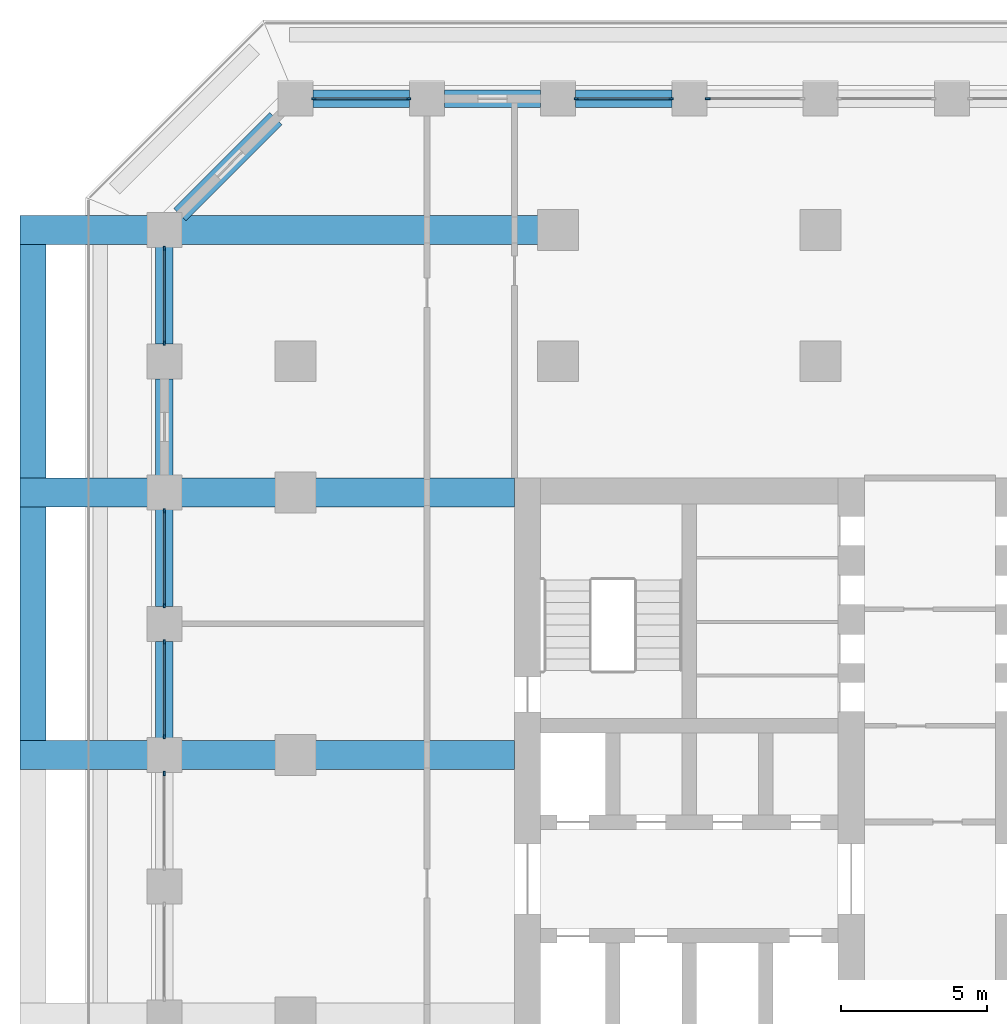
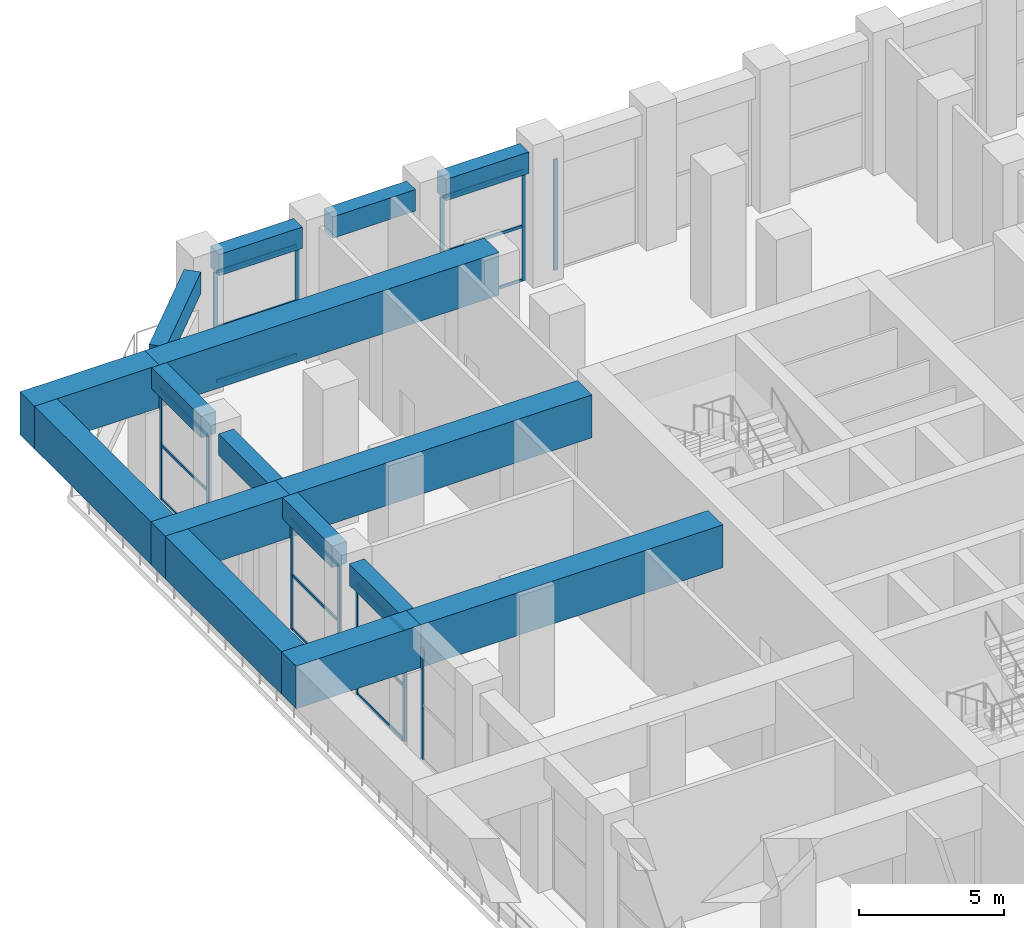
# One storey, part 6 of 24: 27 members, 16 beams, 7 elements without a shape of their own.
"""IFC4 building model written with IfcOpenShell, lengths in metres."""

from ifc_helpers import new_model, si_unit, direction, frame, origin, origin_2d, place, context, subcontext, project, spatial, rectangle, extrude, material, material_profile, profile_set, type_object, element, aggregate, save


model = new_model("IFC4")

# Units and contexts
model_context = context("Model", 3, precision=1e-05, world=origin(), true_north=direction((0.0, 1.0)))
body_context = subcontext(model_context, "Body", "Model", "MODEL_VIEW")
ifc_project = project(units=[si_unit("LENGTHUNIT", "METRE"), si_unit("AREAUNIT", "SQUARE_METRE"), si_unit("VOLUMEUNIT", "CUBIC_METRE"), si_unit("PLANEANGLEUNIT", "RADIAN"), si_unit("MASSUNIT", "GRAM", prefix="KILO")], contexts=[model_context])

# Site, building, storey
site_placement = place(None, origin())
site = spatial("IfcSite", under=ifc_project, at=site_placement, CompositionType="ELEMENT")
building_placement = place(site_placement, origin())
building = spatial("IfcBuilding", under=site, at=building_placement, Name="Corbel Stack Research Tower", CompositionType="ELEMENT")
storey_placement = place(building_placement, frame((0.0, 0.0, 110.699951171875)))
storey = spatial("IfcBuildingStorey", under=building, at=storey_placement, Name="L25", CompositionType="ELEMENT", Elevation=110.699951171875)

# Curtain wall, member
ifc_material_1 = material(Name="Aluminium frame, clear glass", Category="aluminium")
curtain_wall_type = type_object("IfcCurtainWallType", Name="Amenity floor curtain wall CW2", PredefinedType="NOTDEFINED", material=ifc_material_1)
curtain_wall_1_placement = place(storey_placement, origin())
curtain_wall_1 = element("IfcCurtainWall", 1, at=curtain_wall_1_placement, inside=storey, type_object=curtain_wall_type, Name="Curtain wall CW2 L25 N07", PredefinedType="NOTDEFINED")
ifc_material_2 = material(Name="Aluminium mullion", Category="aluminium")
ifc_material_profile_1 = material_profile(ifc_material_2, rectangle(XDim=0.06005859375, YDim=0.159912109375, at=origin_2d()), Name="Mullion 60 x 160")
ifc_profile_set_1 = profile_set([ifc_material_profile_1], Name="Aluminium mullion")
member_type_1 = type_object("IfcMemberType", Name="Curtain wall mullion 60 x 160", PredefinedType="MULLION", material=ifc_profile_set_1)
member_1_placement = place(storey_placement, frame((-3.8701171875, 31.5, 0.0), z_axis=(0.0, 0.0, 1.0), x_axis=(0.0, -1.0, 0.0)))
member_1 = element("IfcMember", 2, at=member_1_placement, type_object=member_type_1, Name="CW2 L25 N07 mullion 2", PredefinedType="MULLION", context=body_context, shape_type="SweptSolid", body=[
    extrude(rectangle(XDim=0.06005859375, YDim=0.159912109375, at=origin_2d()), origin(), (0.0, 0.0, 1.0), 4.650146484375),
])
aggregate(curtain_wall_1, [member_1])

# Curtain wall, members
curtain_wall_2_placement = place(storey_placement, origin())
curtain_wall_2 = element("IfcCurtainWall", 3, at=curtain_wall_2_placement, inside=storey, type_object=curtain_wall_type, Name="Curtain wall CW2 L25 N08", PredefinedType="NOTDEFINED")
member_2_placement = place(storey_placement, frame((-5.1298828125, 31.5, 0.0), z_axis=(0.0, 0.0, 1.0), x_axis=(0.0, -1.0, 0.0)))
member_2 = element("IfcMember", 4, at=member_2_placement, type_object=member_type_1, Name="CW2 L25 N08 mullion 1", PredefinedType="MULLION", context=body_context, shape_type="SweptSolid", body=[
    extrude(rectangle(XDim=0.06005859375, YDim=0.159912109375, at=origin_2d()), origin(), (0.0, 0.0, 1.0), 4.650146484375),
])
member_3_placement = place(storey_placement, frame((-8.3701171875, 31.5, 0.0), z_axis=(0.0, 0.0, 1.0), x_axis=(0.0, -1.0, 0.0)))
member_3 = element("IfcMember", 5, at=member_3_placement, type_object=member_type_1, Name="CW2 L25 N08 mullion 2", PredefinedType="MULLION", context=body_context, shape_type="SweptSolid", body=[
    extrude(rectangle(XDim=0.06005859375, YDim=0.159912109375, at=origin_2d()), origin(), (0.0, 0.0, 1.0), 4.650146484375),
])

curtain_wall_3_placement = place(storey_placement, origin())
curtain_wall_3 = element("IfcCurtainWall", 6, at=curtain_wall_3_placement, inside=storey, type_object=curtain_wall_type, Name="Curtain wall CW2 L25 N10", PredefinedType="NOTDEFINED")
member_4_placement = place(storey_placement, frame((-14.1298828125, 31.5, 0.0), z_axis=(0.0, 0.0, 1.0), x_axis=(0.0, -1.0, 0.0)))
member_4 = element("IfcMember", 7, at=member_4_placement, type_object=member_type_1, Name="CW2 L25 N10 mullion 1", PredefinedType="MULLION", context=body_context, shape_type="SweptSolid", body=[
    extrude(rectangle(XDim=0.06005859375, YDim=0.159912109375, at=origin_2d()), origin(), (0.0, 0.0, 1.0), 4.650146484375),
])
member_5_placement = place(storey_placement, frame((-17.3701171875, 31.5, 0.0), z_axis=(0.0, 0.0, 1.0), x_axis=(0.0, -1.0, 0.0)))
member_5 = element("IfcMember", 8, at=member_5_placement, type_object=member_type_1, Name="CW2 L25 N10 mullion 2", PredefinedType="MULLION", context=body_context, shape_type="SweptSolid", body=[
    extrude(rectangle(XDim=0.06005859375, YDim=0.159912109375, at=origin_2d()), origin(), (0.0, 0.0, 1.0), 4.650146484375),
])

curtain_wall_4_placement = place(storey_placement, origin())
curtain_wall_4 = element("IfcCurtainWall", 9, at=curtain_wall_4_placement, inside=storey, type_object=curtain_wall_type, Name="Curtain wall CW2 L25 W01", PredefinedType="NOTDEFINED")
member_6_placement = place(storey_placement, frame((-22.5, 26.3701171875, 0.0), z_axis=(0.0, 0.0, 1.0), x_axis=(1.0, 0.0, 0.0)))
member_6 = element("IfcMember", 10, at=member_6_placement, type_object=member_type_1, Name="CW2 L25 W01 mullion 1", PredefinedType="MULLION", context=body_context, shape_type="SweptSolid", body=[
    extrude(rectangle(XDim=0.06005859375, YDim=0.159912109375, at=origin_2d()), origin(), (0.0, 0.0, 1.0), 4.650146484375),
])
member_7_placement = place(storey_placement, frame((-22.5, 23.1298828125, 0.0), z_axis=(0.0, 0.0, 1.0), x_axis=(1.0, 0.0, 0.0)))
member_7 = element("IfcMember", 11, at=member_7_placement, type_object=member_type_1, Name="CW2 L25 W01 mullion 2", PredefinedType="MULLION", context=body_context, shape_type="SweptSolid", body=[
    extrude(rectangle(XDim=0.06005859375, YDim=0.159912109375, at=origin_2d()), origin(), (0.0, 0.0, 1.0), 4.650146484375),
])

curtain_wall_5_placement = place(storey_placement, origin())
curtain_wall_5 = element("IfcCurtainWall", 12, at=curtain_wall_5_placement, inside=storey, type_object=curtain_wall_type, Name="Curtain wall CW2 L25 W03", PredefinedType="NOTDEFINED")
member_8_placement = place(storey_placement, frame((-22.5, 17.3701171875, 0.0), z_axis=(0.0, 0.0, 1.0), x_axis=(1.0, 0.0, 0.0)))
member_8 = element("IfcMember", 13, at=member_8_placement, type_object=member_type_1, Name="CW2 L25 W03 mullion 1", PredefinedType="MULLION", context=body_context, shape_type="SweptSolid", body=[
    extrude(rectangle(XDim=0.06005859375, YDim=0.159912109375, at=origin_2d()), origin(), (0.0, 0.0, 1.0), 4.650146484375),
])
member_9_placement = place(storey_placement, frame((-22.5, 14.1298828125, 0.0), z_axis=(0.0, 0.0, 1.0), x_axis=(1.0, 0.0, 0.0)))
member_9 = element("IfcMember", 14, at=member_9_placement, type_object=member_type_1, Name="CW2 L25 W03 mullion 2", PredefinedType="MULLION", context=body_context, shape_type="SweptSolid", body=[
    extrude(rectangle(XDim=0.06005859375, YDim=0.159912109375, at=origin_2d()), origin(), (0.0, 0.0, 1.0), 4.650146484375),
])

curtain_wall_6_placement = place(storey_placement, origin())
curtain_wall_6 = element("IfcCurtainWall", 15, at=curtain_wall_6_placement, inside=storey, type_object=curtain_wall_type, Name="Curtain wall CW2 L25 W04", PredefinedType="NOTDEFINED")
member_10_placement = place(storey_placement, frame((-22.5, 12.8701171875, 0.0), z_axis=(0.0, 0.0, 1.0), x_axis=(1.0, 0.0, 0.0)))
member_10 = element("IfcMember", 16, at=member_10_placement, type_object=member_type_1, Name="CW2 L25 W04 mullion 1", PredefinedType="MULLION", context=body_context, shape_type="SweptSolid", body=[
    extrude(rectangle(XDim=0.06005859375, YDim=0.159912109375, at=origin_2d()), origin(), (0.0, 0.0, 1.0), 4.650146484375),
])
member_11_placement = place(storey_placement, frame((-22.5, 9.6298828125, 0.0), z_axis=(0.0, 0.0, 1.0), x_axis=(1.0, 0.0, 0.0)))
member_11 = element("IfcMember", 17, at=member_11_placement, type_object=member_type_1, Name="CW2 L25 W04 mullion 2", PredefinedType="MULLION", context=body_context, shape_type="SweptSolid", body=[
    extrude(rectangle(XDim=0.06005859375, YDim=0.159912109375, at=origin_2d()), origin(), (0.0, 0.0, 1.0), 4.650146484375),
])

# Curtain wall, member
curtain_wall_7_placement = place(storey_placement, origin())
curtain_wall_7 = element("IfcCurtainWall", 18, at=curtain_wall_7_placement, inside=storey, type_object=curtain_wall_type, Name="Curtain wall CW2 L25 W05", PredefinedType="NOTDEFINED")
member_12_placement = place(storey_placement, frame((-22.5, 8.3701171875, 0.0), z_axis=(0.0, 0.0, 1.0), x_axis=(1.0, 0.0, 0.0)))
member_12 = element("IfcMember", 19, at=member_12_placement, type_object=member_type_1, Name="CW2 L25 W05 mullion 1", PredefinedType="MULLION", context=body_context, shape_type="SweptSolid", body=[
    extrude(rectangle(XDim=0.06005859375, YDim=0.159912109375, at=origin_2d()), origin(), (0.0, 0.0, 1.0), 4.650146484375),
])
aggregate(curtain_wall_7, [member_12])

# Member
ifc_material_3 = material(Name="Aluminium transom", Category="aluminium")
ifc_material_profile_2 = material_profile(ifc_material_3, rectangle(XDim=0.06005859375, YDim=0.1201171875, at=origin_2d()), Name="Transom 60 x 120")
ifc_profile_set_2 = profile_set([ifc_material_profile_2], Name="Aluminium transom")
member_type_2 = type_object("IfcMemberType", Name="Curtain wall transom 60 x 120", PredefinedType="USERDEFINED", material=ifc_profile_set_2)
member_13_placement = place(storey_placement, frame((-5.159912109375, 31.5, 0.030029296875), z_axis=(-1.0, 0.0, 0.0), x_axis=(0.0, -1.0, 0.0)))
member_13 = element("IfcMember", 20, at=member_13_placement, type_object=member_type_2, Name="CW2 L25 N08 transom 1.1", ObjectType="TRANSOM", PredefinedType="USERDEFINED", context=body_context, shape_type="SweptSolid", body=[
    extrude(rectangle(XDim=0.06005859375, YDim=0.1201171875, at=origin_2d()), origin(), (0.0, 0.0, 1.0), 3.18017578125),
])

member_14_placement = place(storey_placement, frame((-5.159912109375, 31.5, 2.300048828125), z_axis=(-1.0, 0.0, 0.0), x_axis=(0.0, -1.0, 0.0)))
member_14 = element("IfcMember", 21, at=member_14_placement, type_object=member_type_2, Name="CW2 L25 N08 transom 1.2", ObjectType="TRANSOM", PredefinedType="USERDEFINED", context=body_context, shape_type="SweptSolid", body=[
    extrude(rectangle(XDim=0.06005859375, YDim=0.1201171875, at=origin_2d()), origin(), (0.0, 0.0, 1.0), 3.18017578125),
])

member_15_placement = place(storey_placement, frame((-5.159912109375, 31.5, 4.6201171875), z_axis=(-1.0, 0.0, 0.0), x_axis=(0.0, -1.0, 0.0)))
member_15 = element("IfcMember", 22, at=member_15_placement, type_object=member_type_2, Name="CW2 L25 N08 transom 1.3", ObjectType="TRANSOM", PredefinedType="USERDEFINED", context=body_context, shape_type="SweptSolid", body=[
    extrude(rectangle(XDim=0.06005859375, YDim=0.1201171875, at=origin_2d()), origin(), (0.0, 0.0, 1.0), 3.18017578125),
])

aggregate(curtain_wall_2, [member_2, member_3, member_13, member_14, member_15])

member_16_placement = place(storey_placement, frame((-14.159912109375, 31.5, 0.030029296875), z_axis=(-1.0, 0.0, 0.0), x_axis=(0.0, -1.0, 0.0)))
member_16 = element("IfcMember", 23, at=member_16_placement, type_object=member_type_2, Name="CW2 L25 N10 transom 1.1", ObjectType="TRANSOM", PredefinedType="USERDEFINED", context=body_context, shape_type="SweptSolid", body=[
    extrude(rectangle(XDim=0.06005859375, YDim=0.1201171875, at=origin_2d()), origin(), (0.0, 0.0, 1.0), 3.18017578125),
])

member_17_placement = place(storey_placement, frame((-14.159912109375, 31.5, 2.300048828125), z_axis=(-1.0, 0.0, 0.0), x_axis=(0.0, -1.0, 0.0)))
member_17 = element("IfcMember", 24, at=member_17_placement, type_object=member_type_2, Name="CW2 L25 N10 transom 1.2", ObjectType="TRANSOM", PredefinedType="USERDEFINED", context=body_context, shape_type="SweptSolid", body=[
    extrude(rectangle(XDim=0.06005859375, YDim=0.1201171875, at=origin_2d()), origin(), (0.0, 0.0, 1.0), 3.18017578125),
])

member_18_placement = place(storey_placement, frame((-14.159912109375, 31.5, 4.6201171875), z_axis=(-1.0, 0.0, 0.0), x_axis=(0.0, -1.0, 0.0)))
member_18 = element("IfcMember", 25, at=member_18_placement, type_object=member_type_2, Name="CW2 L25 N10 transom 1.3", ObjectType="TRANSOM", PredefinedType="USERDEFINED", context=body_context, shape_type="SweptSolid", body=[
    extrude(rectangle(XDim=0.06005859375, YDim=0.1201171875, at=origin_2d()), origin(), (0.0, 0.0, 1.0), 3.18017578125),
])

aggregate(curtain_wall_3, [member_4, member_5, member_16, member_17, member_18])

member_19_placement = place(storey_placement, frame((-22.5, 26.340087890625, 0.030029296875), z_axis=(0.0, -1.0, 0.0), x_axis=(1.0, 0.0, 0.0)))
member_19 = element("IfcMember", 26, at=member_19_placement, type_object=member_type_2, Name="CW2 L25 W01 transom 1.1", ObjectType="TRANSOM", PredefinedType="USERDEFINED", context=body_context, shape_type="SweptSolid", body=[
    extrude(rectangle(XDim=0.06005859375, YDim=0.1201171875, at=origin_2d()), origin(), (0.0, 0.0, 1.0), 3.18017578125),
])

member_20_placement = place(storey_placement, frame((-22.5, 26.340087890625, 2.300048828125), z_axis=(0.0, -1.0, 0.0), x_axis=(1.0, 0.0, 0.0)))
member_20 = element("IfcMember", 27, at=member_20_placement, type_object=member_type_2, Name="CW2 L25 W01 transom 1.2", ObjectType="TRANSOM", PredefinedType="USERDEFINED", context=body_context, shape_type="SweptSolid", body=[
    extrude(rectangle(XDim=0.06005859375, YDim=0.1201171875, at=origin_2d()), origin(), (0.0, 0.0, 1.0), 3.18017578125),
])

member_21_placement = place(storey_placement, frame((-22.5, 26.340087890625, 4.6201171875), z_axis=(0.0, -1.0, 0.0), x_axis=(1.0, 0.0, 0.0)))
member_21 = element("IfcMember", 28, at=member_21_placement, type_object=member_type_2, Name="CW2 L25 W01 transom 1.3", ObjectType="TRANSOM", PredefinedType="USERDEFINED", context=body_context, shape_type="SweptSolid", body=[
    extrude(rectangle(XDim=0.06005859375, YDim=0.1201171875, at=origin_2d()), origin(), (0.0, 0.0, 1.0), 3.18017578125),
])

aggregate(curtain_wall_4, [member_6, member_7, member_19, member_20, member_21])

member_22_placement = place(storey_placement, frame((-22.5, 17.340087890625, 0.030029296875), z_axis=(0.0, -1.0, 0.0), x_axis=(1.0, 0.0, 0.0)))
member_22 = element("IfcMember", 29, at=member_22_placement, type_object=member_type_2, Name="CW2 L25 W03 transom 1.1", ObjectType="TRANSOM", PredefinedType="USERDEFINED", context=body_context, shape_type="SweptSolid", body=[
    extrude(rectangle(XDim=0.06005859375, YDim=0.1201171875, at=origin_2d()), origin(), (0.0, 0.0, 1.0), 3.18017578125),
])

member_23_placement = place(storey_placement, frame((-22.5, 17.340087890625, 2.300048828125), z_axis=(0.0, -1.0, 0.0), x_axis=(1.0, 0.0, 0.0)))
member_23 = element("IfcMember", 30, at=member_23_placement, type_object=member_type_2, Name="CW2 L25 W03 transom 1.2", ObjectType="TRANSOM", PredefinedType="USERDEFINED", context=body_context, shape_type="SweptSolid", body=[
    extrude(rectangle(XDim=0.06005859375, YDim=0.1201171875, at=origin_2d()), origin(), (0.0, 0.0, 1.0), 3.18017578125),
])

member_24_placement = place(storey_placement, frame((-22.5, 17.340087890625, 4.6201171875), z_axis=(0.0, -1.0, 0.0), x_axis=(1.0, 0.0, 0.0)))
member_24 = element("IfcMember", 31, at=member_24_placement, type_object=member_type_2, Name="CW2 L25 W03 transom 1.3", ObjectType="TRANSOM", PredefinedType="USERDEFINED", context=body_context, shape_type="SweptSolid", body=[
    extrude(rectangle(XDim=0.06005859375, YDim=0.1201171875, at=origin_2d()), origin(), (0.0, 0.0, 1.0), 3.18017578125),
])

aggregate(curtain_wall_5, [member_8, member_9, member_22, member_23, member_24])

member_25_placement = place(storey_placement, frame((-22.5, 12.840087890625, 0.030029296875), z_axis=(0.0, -1.0, 0.0), x_axis=(1.0, 0.0, 0.0)))
member_25 = element("IfcMember", 32, at=member_25_placement, type_object=member_type_2, Name="CW2 L25 W04 transom 1.1", ObjectType="TRANSOM", PredefinedType="USERDEFINED", context=body_context, shape_type="SweptSolid", body=[
    extrude(rectangle(XDim=0.06005859375, YDim=0.1201171875, at=origin_2d()), origin(), (0.0, 0.0, 1.0), 3.18017578125),
])

member_26_placement = place(storey_placement, frame((-22.5, 12.840087890625, 2.300048828125), z_axis=(0.0, -1.0, 0.0), x_axis=(1.0, 0.0, 0.0)))
member_26 = element("IfcMember", 33, at=member_26_placement, type_object=member_type_2, Name="CW2 L25 W04 transom 1.2", ObjectType="TRANSOM", PredefinedType="USERDEFINED", context=body_context, shape_type="SweptSolid", body=[
    extrude(rectangle(XDim=0.06005859375, YDim=0.1201171875, at=origin_2d()), origin(), (0.0, 0.0, 1.0), 3.18017578125),
])

member_27_placement = place(storey_placement, frame((-22.5, 12.840087890625, 4.6201171875), z_axis=(0.0, -1.0, 0.0), x_axis=(1.0, 0.0, 0.0)))
member_27 = element("IfcMember", 34, at=member_27_placement, type_object=member_type_2, Name="CW2 L25 W04 transom 1.3", ObjectType="TRANSOM", PredefinedType="USERDEFINED", context=body_context, shape_type="SweptSolid", body=[
    extrude(rectangle(XDim=0.06005859375, YDim=0.1201171875, at=origin_2d()), origin(), (0.0, 0.0, 1.0), 3.18017578125),
])

aggregate(curtain_wall_6, [member_10, member_11, member_25, member_26, member_27])

# Beams
ifc_material_4 = material(Name="Concrete C60/75", Category="concrete")
ifc_material_profile_3 = material_profile(ifc_material_4, rectangle(XDim=0.60009765625, YDim=0.89990234375, at=origin_2d()), Name="RC 600 x 900")
ifc_profile_set_3 = profile_set([ifc_material_profile_3], Name="Concrete C60/75")
beam_type_1 = type_object("IfcBeamType", Name="SB-600-900-450", PredefinedType="SPANDREL", material=ifc_profile_set_3)
for number, where, z_axis, x_axis, name in (
    (35, (-5.10009765625, 31.5, 5.10009765625), (-1.0, 0.0, 0.0), (0.0, -1.0, 0.0), "Spandrel beam L25-30"),
    (36, (-9.60009765625, 31.5, 5.10009765625), (-1.0, 0.0, 0.0), (0.0, -1.0, 0.0), "Spandrel beam L25-31"),
    (37, (-14.10009765625, 31.5, 5.10009765625), (-1.0, 0.0, 0.0), (0.0, -1.0, 0.0), "Spandrel beam L25-32"),
):
    element("IfcBeam", number, at=place(storey_placement, frame(where, z_axis=z_axis, x_axis=x_axis)), inside=storey, type_object=beam_type_1, Name=name, PredefinedType="SPANDREL", context=body_context, shape_type="SweptSolid", body=[
        extrude(rectangle(XDim=0.60009765625, YDim=0.89990234375, at=origin_2d()), origin(), (0.0, 0.0, 1.0), 3.2998046875),
    ])
beam_1_placement = place(storey_placement, frame((-18.677734375, 30.822265625, 5.10009765625), z_axis=(-0.707106781187, -0.707106781187, 0.0), x_axis=(0.707106781187, -0.707106781187, 0.0)))
element("IfcBeam", 38, at=beam_1_placement, inside=storey, type_object=beam_type_1, Name="Spandrel beam L25-33", PredefinedType="SPANDREL", context=body_context, shape_type="SweptSolid", body=[
    extrude(rectangle(XDim=0.60009765625, YDim=0.89990234375, at=origin_2d()), origin(), (0.0, 0.0, 1.0), 4.658935546875),
])
for number, where, z_axis, x_axis, name in (
    (39, (-22.5, 26.550048828125, 5.10009765625), (0.0, -1.0, 0.0), (1.0, 0.0, 0.0), "Spandrel beam L25-34"),
    (40, (-22.5, 21.89990234375, 5.10009765625), (0.0, -1.0, 0.0), (1.0, 0.0, 0.0), "Spandrel beam L25-35"),
    (41, (-22.5, 17.550048828125, 5.10009765625), (0.0, -1.0, 0.0), (1.0, 0.0, 0.0), "Spandrel beam L25-36"),
    (42, (-22.5, 12.89990234375, 5.10009765625), (0.0, -1.0, 0.0), (1.0, 0.0, 0.0), "Spandrel beam L25-37"),
):
    element("IfcBeam", number, at=place(storey_placement, frame(where, z_axis=z_axis, x_axis=x_axis)), inside=storey, type_object=beam_type_1, Name=name, PredefinedType="SPANDREL", context=body_context, shape_type="SweptSolid", body=[
        extrude(rectangle(XDim=0.60009765625, YDim=0.89990234375, at=origin_2d()), origin(), (0.0, 0.0, 1.0), 3.449951171875),
    ])
ifc_material_5 = material(Name="Concrete C60/75", Category="concrete")
ifc_material_profile_4 = material_profile(ifc_material_5, rectangle(XDim=1.0, YDim=1.800048828125, at=origin_2d()), Name="RC 1000 x 1800")
ifc_profile_set_4 = profile_set([ifc_material_profile_4], Name="Concrete C60/75")
beam_type_2 = type_object("IfcBeamType", Name="TG-1000-1800", PredefinedType="BEAM", material=ifc_profile_set_4)
beam_2_placement = place(storey_placement, frame((-27.449951171875, 9.0, 4.650146484375), z_axis=(1.0, 0.0, 0.0), x_axis=(0.0, 1.0, 0.0)))
element("IfcBeam", 43, at=beam_2_placement, inside=storey, type_object=beam_type_2, Name="Transfer girder L25 W9c", PredefinedType="BEAM", context=body_context, shape_type="SweptSolid", body=[
    extrude(rectangle(XDim=1.0, YDim=1.800048828125, at=origin_2d()), origin(), (0.0, 0.0, 1.0), 4.949951171875),
])
beam_3_placement = place(storey_placement, frame((-22.5, 9.0, 4.650146484375), z_axis=(1.0, 0.0, 0.0), x_axis=(0.0, 1.0, 0.0)))
element("IfcBeam", 44, at=beam_3_placement, inside=storey, type_object=beam_type_2, Name="Transfer girder L25 W9b", PredefinedType="BEAM", context=body_context, shape_type="SweptSolid", body=[
    extrude(rectangle(XDim=1.0, YDim=1.800048828125, at=origin_2d()), origin(), (0.0, 0.0, 1.0), 12.0),
])
beam_4_placement = place(storey_placement, frame((-27.449951171875, 18.0, 4.650146484375), z_axis=(1.0, 0.0, 0.0), x_axis=(0.0, 1.0, 0.0)))
element("IfcBeam", 45, at=beam_4_placement, inside=storey, type_object=beam_type_2, Name="Transfer girder L25 W18c", PredefinedType="BEAM", context=body_context, shape_type="SweptSolid", body=[
    extrude(rectangle(XDim=1.0, YDim=1.800048828125, at=origin_2d()), origin(), (0.0, 0.0, 1.0), 4.949951171875),
])
beam_5_placement = place(storey_placement, frame((-22.5, 18.0, 4.650146484375), z_axis=(1.0, 0.0, 0.0), x_axis=(0.0, 1.0, 0.0)))
element("IfcBeam", 46, at=beam_5_placement, inside=storey, type_object=beam_type_2, Name="Transfer girder L25 W18b", PredefinedType="BEAM", context=body_context, shape_type="SweptSolid", body=[
    extrude(rectangle(XDim=1.0, YDim=1.800048828125, at=origin_2d()), origin(), (0.0, 0.0, 1.0), 12.0),
])
beam_6_placement = place(storey_placement, frame((-27.449951171875, 27.0, 4.650146484375), z_axis=(1.0, 0.0, 0.0), x_axis=(0.0, 1.0, 0.0)))
element("IfcBeam", 47, at=beam_6_placement, inside=storey, type_object=beam_type_2, Name="Transfer girder L25 W27c", PredefinedType="BEAM", context=body_context, shape_type="SweptSolid", body=[
    extrude(rectangle(XDim=1.0, YDim=1.800048828125, at=origin_2d()), origin(), (0.0, 0.0, 1.0), 4.949951171875),
])
beam_7_placement = place(storey_placement, frame((-22.5, 27.0, 4.650146484375), z_axis=(1.0, 0.0, 0.0), x_axis=(0.0, 1.0, 0.0)))
element("IfcBeam", 48, at=beam_7_placement, inside=storey, type_object=beam_type_2, Name="Transfer girder L25 W27b", PredefinedType="BEAM", context=body_context, shape_type="SweptSolid", body=[
    extrude(rectangle(XDim=1.0, YDim=1.800048828125, at=origin_2d()), origin(), (0.0, 0.0, 1.0), 13.5),
])
ifc_material_6 = material(Name="Concrete C60/75", Category="concrete")
ifc_material_profile_5 = material_profile(ifc_material_6, rectangle(XDim=0.89990234375, YDim=1.800048828125, at=origin_2d()), Name="RC 900 x 1800")
ifc_profile_set_5 = profile_set([ifc_material_profile_5], Name="Concrete C60/75")
beam_type_3 = type_object("IfcBeamType", Name="TG-900-1800", PredefinedType="BEAM", material=ifc_profile_set_5)
for number, where, z_axis, x_axis, name in (
    (49, (-27.0, 9.449951171875, 4.650146484375), (0.0, 1.0, 0.0), (-1.0, 0.0, 0.0), "Transfer edge beam L25 We9"),
    (50, (-27.0, 18.449951171875, 4.650146484375), (0.0, 1.0, 0.0), (-1.0, 0.0, 0.0), "Transfer edge beam L25 We18"),
):
    element("IfcBeam", number, at=place(storey_placement, frame(where, z_axis=z_axis, x_axis=x_axis)), inside=storey, type_object=beam_type_3, Name=name, PredefinedType="BEAM", context=body_context, shape_type="SweptSolid", body=[
        extrude(rectangle(XDim=0.89990234375, YDim=1.800048828125, at=origin_2d()), origin(), (0.0, 0.0, 1.0), 8.10009765625),
    ])

save(model, "model.ifc")
